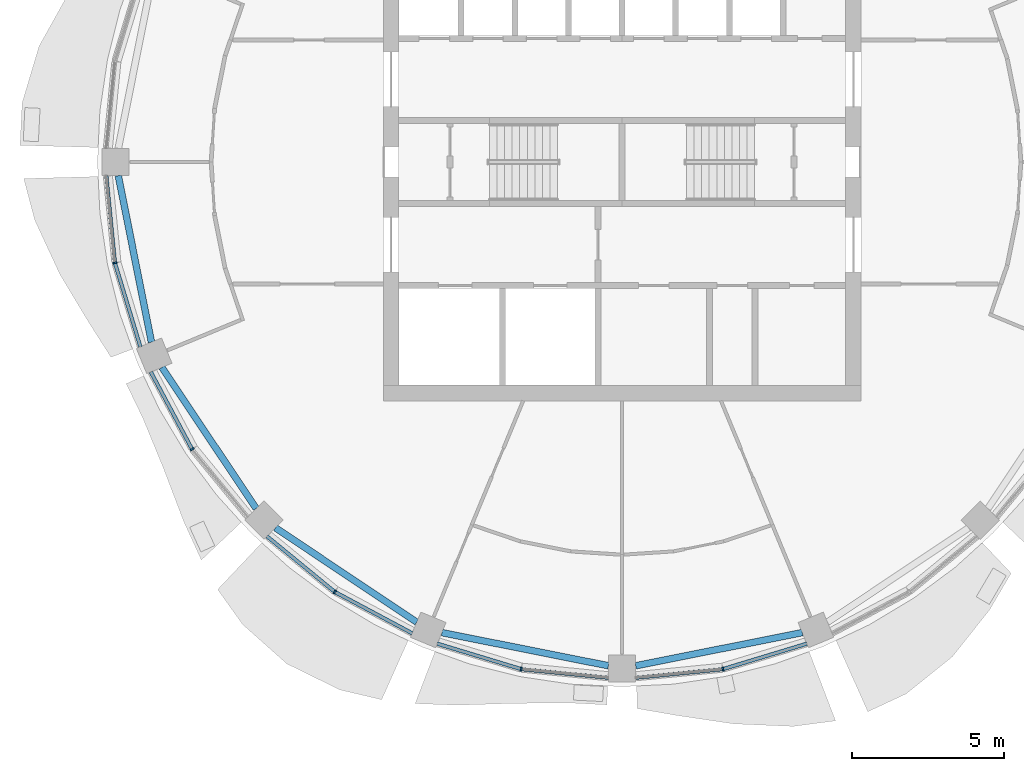
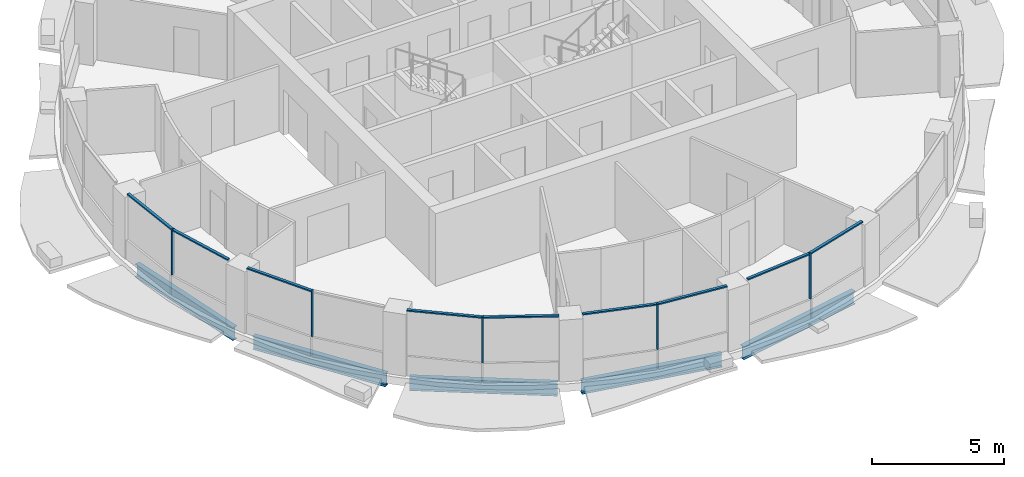
# One storey, part 2 of 15: 14 members, 5 beams, 5 elements without a shape of their own.
"""IFC4 building model written with IfcOpenShell, lengths in metres."""

from ifc_helpers import new_model, si_unit, direction, frame, origin, origin_2d, place, context, subcontext, project, spatial, rectangle, i_section, extrude, material, material_profile, profile_set, type_object, element, aggregate, save


model = new_model("IFC4")

# Units and contexts
model_context = context("Model", 3, precision=1e-05, world=origin(), true_north=direction((0.0, 1.0)))
body_context = subcontext(model_context, "Body", "Model", "MODEL_VIEW")
ifc_project = project(units=[si_unit("LENGTHUNIT", "METRE"), si_unit("AREAUNIT", "SQUARE_METRE"), si_unit("VOLUMEUNIT", "CUBIC_METRE"), si_unit("PLANEANGLEUNIT", "RADIAN"), si_unit("MASSUNIT", "GRAM", prefix="KILO")], contexts=[model_context])

# Site, building, storey
site_placement = place(None, origin())
site = spatial("IfcSite", under=ifc_project, at=site_placement, CompositionType="ELEMENT")
building_placement = place(site_placement, origin())
building = spatial("IfcBuilding", under=site, at=building_placement, Name="Polderwave Tower", CompositionType="ELEMENT")
storey_placement = place(building_placement, frame((0.0, 0.0, 201.050048828125)))
storey = spatial("IfcBuildingStorey", under=building, at=storey_placement, Name="L54", CompositionType="ELEMENT", Elevation=201.050048828125)

# Curtain wall, member
ifc_material_1 = material(Name="Aluminium 6063-T6 and glass", Category="aluminium")
curtain_wall_type = type_object("IfcCurtainWallType", Name="Office ribbon glazing wall", PredefinedType="NOTDEFINED", material=ifc_material_1)
curtain_wall_1_placement = place(storey_placement, origin())
curtain_wall_1 = element("IfcCurtainWall", 1, at=curtain_wall_1_placement, inside=storey, type_object=curtain_wall_type, Name="CW3 L54 08", PredefinedType="NOTDEFINED")
ifc_material_2 = material(Name="Aluminium 6063-T6", Category="aluminium")
ifc_material_profile_1 = material_profile(ifc_material_2, rectangle(XDim=0.139892578125, YDim=0.054931640625, at=origin_2d()), Name="AL 55x140")
ifc_profile_set_1 = profile_set([ifc_material_profile_1], Name="Aluminium 6063-T6")
member_type_1 = type_object("IfcMemberType", Name="Office ribbon glazing mullion 55x140", PredefinedType="MULLION", material=ifc_profile_set_1)
member_1_placement = place(storey_placement, frame((-16.721923828125, -3.325927734375, 0.89990234375), z_axis=(0.0, 0.0, 1.0), x_axis=(0.980762460409, 0.195205010829, 0.0)))
member_1 = element("IfcMember", 2, at=member_1_placement, type_object=member_type_1, Name="CW3 mullion 1", PredefinedType="MULLION", context=body_context, shape_type="SweptSolid", body=[
    extrude(rectangle(XDim=0.139892578125, YDim=0.054931640625, at=origin_2d()), origin(), (0.0, 0.0, 1.0), 2.10009765625),
])

curtain_wall_2_placement = place(storey_placement, origin())
curtain_wall_2 = element("IfcCurtainWall", 3, at=curtain_wall_2_placement, inside=storey, type_object=curtain_wall_type, Name="CW3 L54 09", PredefinedType="NOTDEFINED")
member_2_placement = place(storey_placement, frame((-14.177001953125, -9.471923828125, 0.89990234375), z_axis=(0.0, 0.0, 1.0), x_axis=(0.831480278332, 0.555554269847, 0.0)))
member_2 = element("IfcMember", 4, at=member_2_placement, type_object=member_type_1, Name="CW3 mullion 1", PredefinedType="MULLION", context=body_context, shape_type="SweptSolid", body=[
    extrude(rectangle(XDim=0.139892578125, YDim=0.054931640625, at=origin_2d()), origin(), (0.0, 0.0, 1.0), 2.10009765625),
])

curtain_wall_3_placement = place(storey_placement, origin())
curtain_wall_3 = element("IfcCurtainWall", 5, at=curtain_wall_3_placement, inside=storey, type_object=curtain_wall_type, Name="CW3 L54 10", PredefinedType="NOTDEFINED")
member_3_placement = place(storey_placement, frame((-9.471923828125, -14.177001953125, 0.89990234375), z_axis=(0.0, 0.0, 1.0), x_axis=(0.555554269847, 0.831480278332, 0.0)))
member_3 = element("IfcMember", 6, at=member_3_placement, type_object=member_type_1, Name="CW3 mullion 1", PredefinedType="MULLION", context=body_context, shape_type="SweptSolid", body=[
    extrude(rectangle(XDim=0.139892578125, YDim=0.054931640625, at=origin_2d()), origin(), (0.0, 0.0, 1.0), 2.10009765625),
])

curtain_wall_4_placement = place(storey_placement, origin())
curtain_wall_4 = element("IfcCurtainWall", 7, at=curtain_wall_4_placement, inside=storey, type_object=curtain_wall_type, Name="CW3 L54 11", PredefinedType="NOTDEFINED")
member_4_placement = place(storey_placement, frame((-3.325927734375, -16.721923828125, 0.89990234375), z_axis=(0.0, 0.0, 1.0), x_axis=(0.195205010829, 0.980762460409, 0.0)))
member_4 = element("IfcMember", 8, at=member_4_placement, type_object=member_type_1, Name="CW3 mullion 1", PredefinedType="MULLION", context=body_context, shape_type="SweptSolid", body=[
    extrude(rectangle(XDim=0.139892578125, YDim=0.054931640625, at=origin_2d()), origin(), (0.0, 0.0, 1.0), 2.10009765625),
])

curtain_wall_5_placement = place(storey_placement, origin())
curtain_wall_5 = element("IfcCurtainWall", 9, at=curtain_wall_5_placement, inside=storey, type_object=curtain_wall_type, Name="CW3 L54 12", PredefinedType="NOTDEFINED")
member_5_placement = place(storey_placement, frame((3.325927734375, -16.721923828125, 0.89990234375), z_axis=(0.0, 0.0, 1.0), x_axis=(-0.195205010829, 0.980762460409, 0.0)))
member_5 = element("IfcMember", 10, at=member_5_placement, type_object=member_type_1, Name="CW3 mullion 1", PredefinedType="MULLION", context=body_context, shape_type="SweptSolid", body=[
    extrude(rectangle(XDim=0.139892578125, YDim=0.054931640625, at=origin_2d()), origin(), (0.0, 0.0, 1.0), 2.10009765625),
])

# Member
ifc_material_profile_2 = material_profile(ifc_material_2, rectangle(XDim=0.1201171875, YDim=0.06005859375, at=origin_2d()), Name="AL 60x120")
ifc_profile_set_2 = profile_set([ifc_material_profile_2], Name="Aluminium 6063-T6")
member_type_2 = type_object("IfcMemberType", Name="Office ribbon glazing transom 60x120", PredefinedType="USERDEFINED", material=ifc_profile_set_2)
member_6_placement = place(storey_placement, frame((-17.006103515625, -0.449951171875, 2.969970703125), z_axis=(0.098338314772, -0.99515304142, 0.0), x_axis=(0.99515304142, 0.098338314772, 0.0)))
member_6 = element("IfcMember", 11, at=member_6_placement, type_object=member_type_2, Name="CW3 transom 1", ObjectType="TRANSOM", PredefinedType="USERDEFINED", context=body_context, shape_type="SweptSolid", body=[
    extrude(rectangle(XDim=0.1201171875, YDim=0.06005859375, at=origin_2d()), origin(), (0.0, 0.0, 1.0), 2.862548828125),
])

member_7_placement = place(storey_placement, frame((-16.714111328125, -3.352294921875, 2.969970703125), z_axis=(0.290272457704, -0.956944042407, 0.0), x_axis=(0.956944042407, 0.290272457704, 0.0)))
member_7 = element("IfcMember", 12, at=member_7_placement, type_object=member_type_2, Name="CW3 transom 2", ObjectType="TRANSOM", PredefinedType="USERDEFINED", context=body_context, shape_type="SweptSolid", body=[
    extrude(rectangle(XDim=0.1201171875, YDim=0.06005859375, at=origin_2d()), origin(), (0.0, 0.0, 1.0), 2.863037109375),
])

aggregate(curtain_wall_1, [member_1, member_6, member_7])

member_8_placement = place(storey_placement, frame((-15.5390625, -6.924072265625, 2.969970703125), z_axis=(0.471447059803, -0.881894364311, 0.0), x_axis=(0.881894364311, 0.471447059803, 0.0)))
member_8 = element("IfcMember", 13, at=member_8_placement, type_object=member_type_2, Name="CW3 transom 1", ObjectType="TRANSOM", PredefinedType="USERDEFINED", context=body_context, shape_type="SweptSolid", body=[
    extrude(rectangle(XDim=0.1201171875, YDim=0.06005859375, at=origin_2d()), origin(), (0.0, 0.0, 1.0), 2.861572265625),
])

aggregate(curtain_wall_2, [member_2, member_8])

member_9_placement = place(storey_placement, frame((-11.70703125, -12.343017578125, 2.969970703125), z_axis=(0.773014408313, -0.634388465012, 0.0), x_axis=(0.634388465012, 0.773014408313, 0.0)))
member_9 = element("IfcMember", 14, at=member_9_placement, type_object=member_type_2, Name="CW3 transom 1", ObjectType="TRANSOM", PredefinedType="USERDEFINED", context=body_context, shape_type="SweptSolid", body=[
    extrude(rectangle(XDim=0.1201171875, YDim=0.06005859375, at=origin_2d()), origin(), (0.0, 0.0, 1.0), 2.863525390625),
])

member_10_placement = place(storey_placement, frame((-9.44775390625, -14.18994140625, 2.969970703125), z_axis=(0.881894364311, -0.471447059803, 0.0), x_axis=(0.471447059803, 0.881894364311, 0.0)))
member_10 = element("IfcMember", 15, at=member_10_placement, type_object=member_type_2, Name="CW3 transom 2", ObjectType="TRANSOM", PredefinedType="USERDEFINED", context=body_context, shape_type="SweptSolid", body=[
    extrude(rectangle(XDim=0.1201171875, YDim=0.06005859375, at=origin_2d()), origin(), (0.0, 0.0, 1.0), 2.861572265625),
])

aggregate(curtain_wall_3, [member_3, member_9, member_10])

member_11_placement = place(storey_placement, frame((-6.092041015625, -15.883056640625, 2.969970703125), z_axis=(0.956944042407, -0.290272457704, 0.0), x_axis=(0.290272457704, 0.956944042407, 0.0)))
member_11 = element("IfcMember", 16, at=member_11_placement, type_object=member_type_2, Name="CW3 transom 1", ObjectType="TRANSOM", PredefinedType="USERDEFINED", context=body_context, shape_type="SweptSolid", body=[
    extrude(rectangle(XDim=0.1201171875, YDim=0.06005859375, at=origin_2d()), origin(), (0.0, 0.0, 1.0), 2.863037109375),
])

member_12_placement = place(storey_placement, frame((-3.298583984375, -16.724609375, 2.969970703125), z_axis=(0.99515304142, -0.098338314772, 0.0), x_axis=(0.098338314772, 0.99515304142, 0.0)))
member_12 = element("IfcMember", 17, at=member_12_placement, type_object=member_type_2, Name="CW3 transom 2", ObjectType="TRANSOM", PredefinedType="USERDEFINED", context=body_context, shape_type="SweptSolid", body=[
    extrude(rectangle(XDim=0.1201171875, YDim=0.06005859375, at=origin_2d()), origin(), (0.0, 0.0, 1.0), 2.862548828125),
])

aggregate(curtain_wall_4, [member_4, member_11, member_12])

member_13_placement = place(storey_placement, frame((0.449951171875, -17.006103515625, 2.969970703125), z_axis=(0.99515304142, 0.098338314772, 0.0), x_axis=(-0.098338314772, 0.99515304142, 0.0)))
member_13 = element("IfcMember", 18, at=member_13_placement, type_object=member_type_2, Name="CW3 transom 1", ObjectType="TRANSOM", PredefinedType="USERDEFINED", context=body_context, shape_type="SweptSolid", body=[
    extrude(rectangle(XDim=0.1201171875, YDim=0.06005859375, at=origin_2d()), origin(), (0.0, 0.0, 1.0), 2.862548828125),
])

member_14_placement = place(storey_placement, frame((3.352294921875, -16.714111328125, 2.969970703125), z_axis=(0.956944042407, 0.290272457704, 0.0), x_axis=(-0.290272457704, 0.956944042407, 0.0)))
member_14 = element("IfcMember", 19, at=member_14_placement, type_object=member_type_2, Name="CW3 transom 2", ObjectType="TRANSOM", PredefinedType="USERDEFINED", context=body_context, shape_type="SweptSolid", body=[
    extrude(rectangle(XDim=0.1201171875, YDim=0.06005859375, at=origin_2d()), origin(), (0.0, 0.0, 1.0), 2.863037109375),
])

aggregate(curtain_wall_5, [member_5, member_13, member_14])

# Beams
ifc_material_3 = material(Name="Steel S355", Category="steel")
ifc_material_profile_3 = material_profile(ifc_material_3, i_section(OverallWidth=0.219970703125, OverallDepth=0.60009765625, WebThickness=0.011962890625, FlangeThickness=0.01904296875, at=origin_2d()), Name="IPE 600")
ifc_profile_set_3 = profile_set([ifc_material_profile_3], Name="Steel S355")
beam_type = type_object("IfcBeamType", Name="RING BEAM IPE 600", PredefinedType="BEAM", material=ifc_profile_set_3)
for number, where, z_axis, x_axis, name in (
    (20, (-16.610595703125, -0.449951171875, -0.650146484375), (0.195101310105, -0.980783094673, 0.0), (0.980783094673, 0.195101310105, 0.0), "ST-RB-L54-08"),
    (21, (-15.173828125, -6.772216796875, -0.650146484375), (0.555565346345, -0.831472877453, 0.0), (0.831472877453, 0.555565346345, 0.0), "ST-RB-L54-09"),
    (22, (-11.42724609375, -12.0634765625, -0.650146484375), (0.831472877453, -0.555565346345, 0.0), (0.555565346345, 0.831472877453, 0.0), "ST-RB-L54-10"),
    (23, (-5.94091796875, -15.518310546875, -0.650146484375), (0.980783094673, -0.195101310105, 0.0), (0.195101310105, 0.980783094673, 0.0), "ST-RB-L54-11"),
    (24, (0.449951171875, -16.610595703125, -0.650146484375), (0.980783094673, 0.195101310105, 0.0), (-0.195101310105, 0.980783094673, 0.0), "ST-RB-L54-12"),
):
    element("IfcBeam", number, at=place(storey_placement, frame(where, z_axis=z_axis, x_axis=x_axis)), inside=storey, type_object=beam_type, Name=name, PredefinedType="BEAM", context=body_context, shape_type="SweptSolid", body=[
        extrude(i_section(OverallWidth=0.219970703125, OverallDepth=0.60009765625, WebThickness=0.011962890625, FlangeThickness=0.01904296875, at=origin_2d()), origin(), (0.0, 0.0, 1.0), 5.5986328125),
    ])

save(model, "model.ifc")
